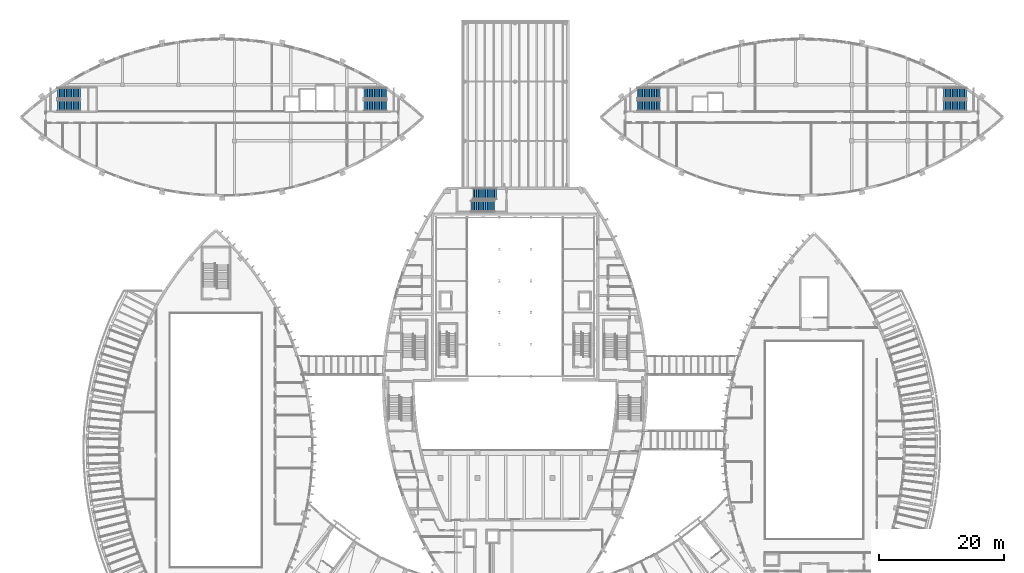
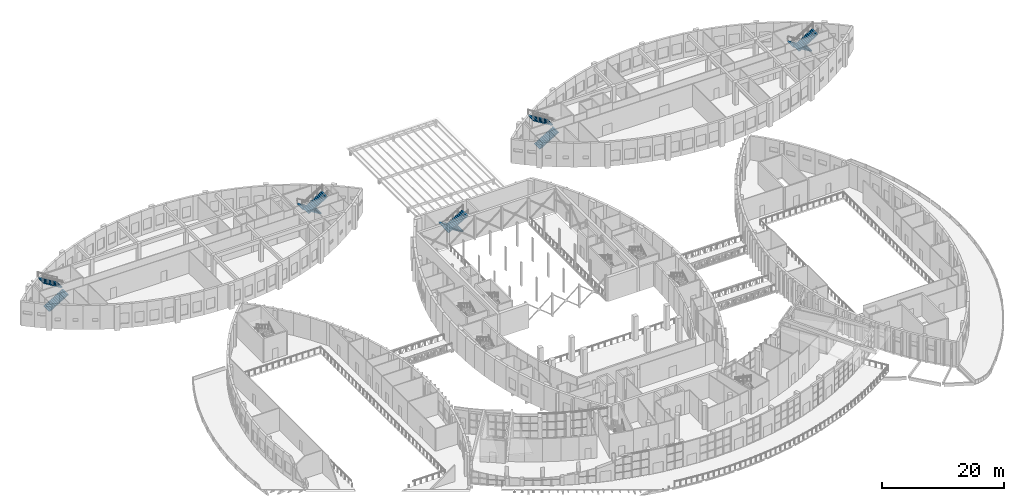
# One storey, part 82 of 93: 10 stair flights, 5 elements without a shape of their own.
"""IFC4 building model written with IfcOpenShell, lengths in metres."""

from ifc_helpers import new_model, si_unit, direction, frame, origin, place, context, subcontext, project, spatial, polyline, outline, extrude, material, type_object, element, aggregate, save


model = new_model("IFC4")

# Units and contexts
model_context = context("Model", 3, precision=1e-05, world=origin(), true_north=direction((0.0, 1.0)))
body_context = subcontext(model_context, "Body", "Model", "MODEL_VIEW")
ifc_project = project(units=[si_unit("LENGTHUNIT", "METRE"), si_unit("AREAUNIT", "SQUARE_METRE"), si_unit("VOLUMEUNIT", "CUBIC_METRE"), si_unit("PLANEANGLEUNIT", "RADIAN"), si_unit("MASSUNIT", "GRAM", prefix="KILO")], contexts=[model_context])

# Site, building, storey
site_placement = place(None, origin())
site = spatial("IfcSite", under=ifc_project, at=site_placement, CompositionType="ELEMENT")
building_placement = place(site_placement, origin())
building = spatial("IfcBuilding", under=site, at=building_placement, Name="Tide Square Theatres", CompositionType="ELEMENT")
storey_placement = place(building_placement, frame((0.0, 0.0, 5.39990234375)))
storey = spatial("IfcBuildingStorey", under=building, at=storey_placement, Name="L01", CompositionType="ELEMENT", Elevation=5.39990234375)

# Stair, stair flights
ifc_material_1 = material(Name="Concrete C35", Category="concrete")
stair_type_1 = type_object("IfcStairType", Name="Stair half turn 1300 wide", PredefinedType="HALF_TURN_STAIR", material=ifc_material_1)
stair_1_placement = place(storey_placement, origin())
stair_1 = element("IfcStair", 1, at=stair_1_placement, inside=storey, type_object=stair_type_1, Name="L01 Scenery Workshops stair 1", PredefinedType="HALF_TURN_STAIR")
ifc_material_2 = material(Name="Concrete C35", Category="concrete")
stair_flight_type_1 = type_object("IfcStairFlightType", Name="Flight 1300 wide 14 risers", PredefinedType="STRAIGHT", material=ifc_material_2)
stair_flight_1_placement = place(storey_placement, frame((10.60009765625, 99.699951171875, 0.0), z_axis=(0.0, 0.0, 1.0), x_axis=(1.0, 0.0, 0.0)))
stair_flight_1 = element("IfcStairFlight", 2, at=stair_flight_1_placement, type_object=stair_flight_type_1, Name="WST-1 flight 1", NumberOfRisers=14, NumberOfTreads=13, PredefinedType="STRAIGHT", RiserHeight=0.171428571, TreadLength=0.28, context=body_context, shape_type="SweptSolid", body=[
    extrude(outline(polyline([(0.0, 0.0), (0.0, 0.17138671875), (0.280029296875, 0.17138671875), (0.280029296875, 0.3427734375), (0.56005859375, 0.3427734375), (0.56005859375, 0.514404296875), (0.840087890625, 0.514404296875), (0.840087890625, 0.685791015625), (1.1201171875, 0.685791015625), (1.1201171875, 0.857177734375), (1.39990234375, 0.857177734375), (1.39990234375, 1.028564453125), (1.679931640625, 1.028564453125), (1.679931640625, 1.199951171875), (1.9599609375, 1.199951171875), (1.9599609375, 1.371337890625), (2.239990234375, 1.371337890625), (2.239990234375, 1.54296875), (2.52001953125, 1.54296875), (2.52001953125, 1.71435546875), (2.800048828125, 1.71435546875), (2.800048828125, 1.8857421875), (3.080078125, 1.8857421875), (3.080078125, 2.05712890625), (3.360107421875, 2.05712890625), (3.360107421875, 2.228515625), (3.639892578125, 2.228515625), (3.639892578125, 2.39990234375), (3.639892578125, 2.052734375), (0.287109375, 0.0), (0.0, 0.0)])), frame((0.0, 0.89990234375, 0.0), z_axis=(0.0, -1.0, 0.0), x_axis=(1.0, 0.0, 0.0)), (0.0, 0.0, 1.0), 1.800048828125),
])
stair_flight_2_placement = place(storey_placement, frame((14.239990234375, 101.64990234375, 2.400146484375), z_axis=(0.0, 0.0, 1.0), x_axis=(-1.0, 0.0, 0.0)))
stair_flight_2 = element("IfcStairFlight", 3, at=stair_flight_2_placement, type_object=stair_flight_type_1, Name="WST-1 flight 2", NumberOfRisers=14, NumberOfTreads=13, PredefinedType="STRAIGHT", RiserHeight=0.171428571, TreadLength=0.28, context=body_context, shape_type="SweptSolid", body=[
    extrude(outline(polyline([(0.0, 0.0), (0.0, 0.17138671875), (0.280029296875, 0.17138671875), (0.280029296875, 0.3427734375), (0.56005859375, 0.3427734375), (0.56005859375, 0.514404296875), (0.840087890625, 0.514404296875), (0.840087890625, 0.685791015625), (1.1201171875, 0.685791015625), (1.1201171875, 0.857177734375), (1.39990234375, 0.857177734375), (1.39990234375, 1.028564453125), (1.679931640625, 1.028564453125), (1.679931640625, 1.199951171875), (1.9599609375, 1.199951171875), (1.9599609375, 1.371337890625), (2.239990234375, 1.371337890625), (2.239990234375, 1.54296875), (2.52001953125, 1.54296875), (2.52001953125, 1.71435546875), (2.800048828125, 1.71435546875), (2.800048828125, 1.8857421875), (3.080078125, 1.8857421875), (3.080078125, 2.05712890625), (3.360107421875, 2.05712890625), (3.360107421875, 2.228515625), (3.639892578125, 2.228515625), (3.639892578125, 2.39990234375), (3.639892578125, 2.052734375), (0.287109375, 0.0), (0.0, 0.0)])), frame((0.0, 0.89990234375, 0.0), z_axis=(0.0, -1.0, 0.0), x_axis=(1.0, 0.0, 0.0)), (0.0, 0.0, 1.0), 1.800048828125),
])
aggregate(stair_1, [stair_flight_1, stair_flight_2])

stair_2_placement = place(storey_placement, origin())
stair_2 = element("IfcStair", 4, at=stair_2_placement, inside=storey, type_object=stair_type_1, Name="L01 Scenery Workshops stair 2", PredefinedType="HALF_TURN_STAIR")
stair_flight_3_placement = place(storey_placement, frame((63.39990234375, 101.64990234375, 0.0), z_axis=(0.0, 0.0, 1.0), x_axis=(-1.0, 0.0, 0.0)))
stair_flight_3 = element("IfcStairFlight", 5, at=stair_flight_3_placement, type_object=stair_flight_type_1, Name="WST-2 flight 1", NumberOfRisers=14, NumberOfTreads=13, PredefinedType="STRAIGHT", RiserHeight=0.171428571, TreadLength=0.28, context=body_context, shape_type="SweptSolid", body=[
    extrude(outline(polyline([(0.0, 0.0), (0.0, 0.17138671875), (0.280029296875, 0.17138671875), (0.280029296875, 0.3427734375), (0.56005859375, 0.3427734375), (0.56005859375, 0.514404296875), (0.840087890625, 0.514404296875), (0.840087890625, 0.685791015625), (1.1201171875, 0.685791015625), (1.1201171875, 0.857177734375), (1.39990234375, 0.857177734375), (1.39990234375, 1.028564453125), (1.679931640625, 1.028564453125), (1.679931640625, 1.199951171875), (1.9599609375, 1.199951171875), (1.9599609375, 1.371337890625), (2.239990234375, 1.371337890625), (2.239990234375, 1.54296875), (2.52001953125, 1.54296875), (2.52001953125, 1.71435546875), (2.800048828125, 1.71435546875), (2.800048828125, 1.8857421875), (3.080078125, 1.8857421875), (3.080078125, 2.05712890625), (3.360107421875, 2.05712890625), (3.360107421875, 2.228515625), (3.639892578125, 2.228515625), (3.639892578125, 2.39990234375), (3.639892578125, 2.052734375), (0.287109375, 0.0), (0.0, 0.0)])), frame((0.0, 0.89990234375, 0.0), z_axis=(0.0, -1.0, 0.0), x_axis=(1.0, 0.0, 0.0)), (0.0, 0.0, 1.0), 1.800048828125),
])
stair_flight_4_placement = place(storey_placement, frame((59.760009765625, 99.699951171875, 2.400146484375), z_axis=(0.0, 0.0, 1.0), x_axis=(1.0, 0.0, 0.0)))
stair_flight_4 = element("IfcStairFlight", 6, at=stair_flight_4_placement, type_object=stair_flight_type_1, Name="WST-2 flight 2", NumberOfRisers=14, NumberOfTreads=13, PredefinedType="STRAIGHT", RiserHeight=0.171428571, TreadLength=0.28, context=body_context, shape_type="SweptSolid", body=[
    extrude(outline(polyline([(0.0, 0.0), (0.0, 0.17138671875), (0.280029296875, 0.17138671875), (0.280029296875, 0.3427734375), (0.56005859375, 0.3427734375), (0.56005859375, 0.514404296875), (0.840087890625, 0.514404296875), (0.840087890625, 0.685791015625), (1.1201171875, 0.685791015625), (1.1201171875, 0.857177734375), (1.39990234375, 0.857177734375), (1.39990234375, 1.028564453125), (1.679931640625, 1.028564453125), (1.679931640625, 1.199951171875), (1.9599609375, 1.199951171875), (1.9599609375, 1.371337890625), (2.239990234375, 1.371337890625), (2.239990234375, 1.54296875), (2.52001953125, 1.54296875), (2.52001953125, 1.71435546875), (2.800048828125, 1.71435546875), (2.800048828125, 1.8857421875), (3.080078125, 1.8857421875), (3.080078125, 2.05712890625), (3.360107421875, 2.05712890625), (3.360107421875, 2.228515625), (3.639892578125, 2.228515625), (3.639892578125, 2.39990234375), (3.639892578125, 2.052734375), (0.287109375, 0.0), (0.0, 0.0)])), frame((0.0, 0.89990234375, 0.0), z_axis=(0.0, -1.0, 0.0), x_axis=(1.0, 0.0, 0.0)), (0.0, 0.0, 1.0), 1.800048828125),
])
aggregate(stair_2, [stair_flight_3, stair_flight_4])

stair_3_placement = place(storey_placement, origin())
stair_3 = element("IfcStair", 7, at=stair_3_placement, inside=storey, type_object=stair_type_1, Name="L01 Rehearsal Block stair 1", PredefinedType="HALF_TURN_STAIR")
stair_flight_5_placement = place(storey_placement, frame((103.60009765625, 99.699951171875, 0.0), z_axis=(0.0, 0.0, 1.0), x_axis=(1.0, 0.0, 0.0)))
stair_flight_5 = element("IfcStairFlight", 8, at=stair_flight_5_placement, type_object=stair_flight_type_1, Name="RST-1 flight 1", NumberOfRisers=14, NumberOfTreads=13, PredefinedType="STRAIGHT", RiserHeight=0.171428571, TreadLength=0.28, context=body_context, shape_type="SweptSolid", body=[
    extrude(outline(polyline([(0.0, 0.0), (0.0, 0.17138671875), (0.280029296875, 0.17138671875), (0.280029296875, 0.3427734375), (0.56005859375, 0.3427734375), (0.56005859375, 0.514404296875), (0.840087890625, 0.514404296875), (0.840087890625, 0.685791015625), (1.1201171875, 0.685791015625), (1.1201171875, 0.857177734375), (1.39990234375, 0.857177734375), (1.39990234375, 1.028564453125), (1.679931640625, 1.028564453125), (1.679931640625, 1.199951171875), (1.9599609375, 1.199951171875), (1.9599609375, 1.371337890625), (2.239990234375, 1.371337890625), (2.239990234375, 1.54296875), (2.52001953125, 1.54296875), (2.52001953125, 1.71435546875), (2.800048828125, 1.71435546875), (2.800048828125, 1.8857421875), (3.080078125, 1.8857421875), (3.080078125, 2.05712890625), (3.360107421875, 2.05712890625), (3.360107421875, 2.228515625), (3.639892578125, 2.228515625), (3.639892578125, 2.39990234375), (3.639892578125, 2.052734375), (0.287109375, 0.0), (0.0, 0.0)])), frame((0.0, 0.89990234375, 0.0), z_axis=(0.0, -1.0, 0.0), x_axis=(1.0, 0.0, 0.0)), (0.0, 0.0, 1.0), 1.800048828125),
])
stair_flight_6_placement = place(storey_placement, frame((107.239990234375, 101.64990234375, 2.400146484375), z_axis=(0.0, 0.0, 1.0), x_axis=(-1.0, 0.0, 0.0)))
stair_flight_6 = element("IfcStairFlight", 9, at=stair_flight_6_placement, type_object=stair_flight_type_1, Name="RST-1 flight 2", NumberOfRisers=14, NumberOfTreads=13, PredefinedType="STRAIGHT", RiserHeight=0.171428571, TreadLength=0.28, context=body_context, shape_type="SweptSolid", body=[
    extrude(outline(polyline([(0.0, 0.0), (0.0, 0.17138671875), (0.280029296875, 0.17138671875), (0.280029296875, 0.3427734375), (0.56005859375, 0.3427734375), (0.56005859375, 0.514404296875), (0.840087890625, 0.514404296875), (0.840087890625, 0.685791015625), (1.1201171875, 0.685791015625), (1.1201171875, 0.857177734375), (1.39990234375, 0.857177734375), (1.39990234375, 1.028564453125), (1.679931640625, 1.028564453125), (1.679931640625, 1.199951171875), (1.9599609375, 1.199951171875), (1.9599609375, 1.371337890625), (2.239990234375, 1.371337890625), (2.239990234375, 1.54296875), (2.52001953125, 1.54296875), (2.52001953125, 1.71435546875), (2.800048828125, 1.71435546875), (2.800048828125, 1.8857421875), (3.080078125, 1.8857421875), (3.080078125, 2.05712890625), (3.360107421875, 2.05712890625), (3.360107421875, 2.228515625), (3.639892578125, 2.228515625), (3.639892578125, 2.39990234375), (3.639892578125, 2.052734375), (0.287109375, 0.0), (0.0, 0.0)])), frame((0.0, 0.89990234375, 0.0), z_axis=(0.0, -1.0, 0.0), x_axis=(1.0, 0.0, 0.0)), (0.0, 0.0, 1.0), 1.800048828125),
])
aggregate(stair_3, [stair_flight_5, stair_flight_6])

stair_4_placement = place(storey_placement, origin())
stair_4 = element("IfcStair", 10, at=stair_4_placement, inside=storey, type_object=stair_type_1, Name="L01 Rehearsal Block stair 2", PredefinedType="HALF_TURN_STAIR")
stair_flight_7_placement = place(storey_placement, frame((156.39990234375, 101.64990234375, 0.0), z_axis=(0.0, 0.0, 1.0), x_axis=(-1.0, 0.0, 0.0)))
stair_flight_7 = element("IfcStairFlight", 11, at=stair_flight_7_placement, type_object=stair_flight_type_1, Name="RST-2 flight 1", NumberOfRisers=14, NumberOfTreads=13, PredefinedType="STRAIGHT", RiserHeight=0.171428571, TreadLength=0.28, context=body_context, shape_type="SweptSolid", body=[
    extrude(outline(polyline([(0.0, 0.0), (0.0, 0.17138671875), (0.280029296875, 0.17138671875), (0.280029296875, 0.3427734375), (0.56005859375, 0.3427734375), (0.56005859375, 0.514404296875), (0.840087890625, 0.514404296875), (0.840087890625, 0.685791015625), (1.1201171875, 0.685791015625), (1.1201171875, 0.857177734375), (1.39990234375, 0.857177734375), (1.39990234375, 1.028564453125), (1.679931640625, 1.028564453125), (1.679931640625, 1.199951171875), (1.9599609375, 1.199951171875), (1.9599609375, 1.371337890625), (2.239990234375, 1.371337890625), (2.239990234375, 1.54296875), (2.52001953125, 1.54296875), (2.52001953125, 1.71435546875), (2.800048828125, 1.71435546875), (2.800048828125, 1.8857421875), (3.080078125, 1.8857421875), (3.080078125, 2.05712890625), (3.360107421875, 2.05712890625), (3.360107421875, 2.228515625), (3.639892578125, 2.228515625), (3.639892578125, 2.39990234375), (3.639892578125, 2.052734375), (0.287109375, 0.0), (0.0, 0.0)])), frame((0.0, 0.89990234375, 0.0), z_axis=(0.0, -1.0, 0.0), x_axis=(1.0, 0.0, 0.0)), (0.0, 0.0, 1.0), 1.800048828125),
])
stair_flight_8_placement = place(storey_placement, frame((152.760009765625, 99.699951171875, 2.400146484375), z_axis=(0.0, 0.0, 1.0), x_axis=(1.0, 0.0, 0.0)))
stair_flight_8 = element("IfcStairFlight", 12, at=stair_flight_8_placement, type_object=stair_flight_type_1, Name="RST-2 flight 2", NumberOfRisers=14, NumberOfTreads=13, PredefinedType="STRAIGHT", RiserHeight=0.171428571, TreadLength=0.28, context=body_context, shape_type="SweptSolid", body=[
    extrude(outline(polyline([(0.0, 0.0), (0.0, 0.17138671875), (0.280029296875, 0.17138671875), (0.280029296875, 0.3427734375), (0.56005859375, 0.3427734375), (0.56005859375, 0.514404296875), (0.840087890625, 0.514404296875), (0.840087890625, 0.685791015625), (1.1201171875, 0.685791015625), (1.1201171875, 0.857177734375), (1.39990234375, 0.857177734375), (1.39990234375, 1.028564453125), (1.679931640625, 1.028564453125), (1.679931640625, 1.199951171875), (1.9599609375, 1.199951171875), (1.9599609375, 1.371337890625), (2.239990234375, 1.371337890625), (2.239990234375, 1.54296875), (2.52001953125, 1.54296875), (2.52001953125, 1.71435546875), (2.800048828125, 1.71435546875), (2.800048828125, 1.8857421875), (3.080078125, 1.8857421875), (3.080078125, 2.05712890625), (3.360107421875, 2.05712890625), (3.360107421875, 2.228515625), (3.639892578125, 2.228515625), (3.639892578125, 2.39990234375), (3.639892578125, 2.052734375), (0.287109375, 0.0), (0.0, 0.0)])), frame((0.0, 0.89990234375, 0.0), z_axis=(0.0, -1.0, 0.0), x_axis=(1.0, 0.0, 0.0)), (0.0, 0.0, 1.0), 1.800048828125),
])
aggregate(stair_4, [stair_flight_7, stair_flight_8])

ifc_material_3 = material(Name="Concrete C35", Category="concrete")
stair_type_2 = type_object("IfcStairType", Name="Stair half turn 1800 wide, 28 risers, rise 4800", PredefinedType="HALF_TURN_STAIR", material=ifc_material_3)
stair_5_placement = place(storey_placement, origin())
stair_5 = element("IfcStair", 13, at=stair_5_placement, inside=storey, type_object=stair_type_2, Name="Main Theatre North Stair", PredefinedType="HALF_TURN_STAIR")
ifc_material_4 = material(Name="Concrete C35", Category="concrete")
stair_flight_type_2 = type_object("IfcStairFlightType", Name="Flight 1800 wide 14 risers rise 4800", PredefinedType="STRAIGHT", material=ifc_material_4)
stair_flight_9_placement = place(storey_placement, frame((81.0, 85.5, 0.0), z_axis=(0.0, 0.0, 1.0), x_axis=(-1.0, 0.0, 0.0)))
stair_flight_9 = element("IfcStairFlight", 14, at=stair_flight_9_placement, type_object=stair_flight_type_2, Name="ST-1800-4800 flight 1", NumberOfRisers=14, NumberOfTreads=13, PredefinedType="STRAIGHT", RiserHeight=0.171428571, TreadLength=0.29, context=body_context, shape_type="SweptSolid", body=[
    extrude(outline(polyline([(0.0, 0.0), (0.0, 0.17138671875), (0.2900390625, 0.17138671875), (0.2900390625, 0.3427734375), (0.580078125, 0.3427734375), (0.580078125, 0.514404296875), (0.8701171875, 0.514404296875), (0.8701171875, 0.685791015625), (1.159912109375, 0.685791015625), (1.159912109375, 0.857177734375), (1.449951171875, 0.857177734375), (1.449951171875, 1.028564453125), (1.739990234375, 1.028564453125), (1.739990234375, 1.199951171875), (2.030029296875, 1.199951171875), (2.030029296875, 1.371337890625), (2.320068359375, 1.371337890625), (2.320068359375, 1.54296875), (2.610107421875, 1.54296875), (2.610107421875, 1.71435546875), (2.89990234375, 1.71435546875), (2.89990234375, 1.8857421875), (3.18994140625, 1.8857421875), (3.18994140625, 2.05712890625), (3.47998046875, 2.05712890625), (3.47998046875, 2.228515625), (3.77001953125, 2.228515625), (3.77001953125, 2.39990234375), (3.77001953125, 2.054443359375), (0.294677734375, 0.0), (0.0, 0.0)])), frame((0.0, 0.89990234375, 0.0), z_axis=(0.0, -1.0, 0.0), x_axis=(1.0, 0.0, 0.0)), (0.0, 0.0, 1.0), 1.800048828125),
])
stair_flight_10_placement = place(storey_placement, frame((76.935302734375, 83.5, 2.400146484375), z_axis=(0.0, 0.0, 1.0), x_axis=(1.0, 0.0, 0.0)))
stair_flight_10 = element("IfcStairFlight", 15, at=stair_flight_10_placement, type_object=stair_flight_type_2, Name="ST-1800-4800 flight 2", NumberOfRisers=14, NumberOfTreads=13, PredefinedType="STRAIGHT", RiserHeight=0.171428571, TreadLength=0.29, context=body_context, shape_type="SweptSolid", body=[
    extrude(outline(polyline([(0.0, 0.0), (0.0, 0.17138671875), (0.2900390625, 0.17138671875), (0.2900390625, 0.3427734375), (0.580078125, 0.3427734375), (0.580078125, 0.514404296875), (0.8701171875, 0.514404296875), (0.8701171875, 0.685791015625), (1.159912109375, 0.685791015625), (1.159912109375, 0.857177734375), (1.449951171875, 0.857177734375), (1.449951171875, 1.028564453125), (1.739990234375, 1.028564453125), (1.739990234375, 1.199951171875), (2.030029296875, 1.199951171875), (2.030029296875, 1.371337890625), (2.320068359375, 1.371337890625), (2.320068359375, 1.54296875), (2.610107421875, 1.54296875), (2.610107421875, 1.71435546875), (2.89990234375, 1.71435546875), (2.89990234375, 1.8857421875), (3.18994140625, 1.8857421875), (3.18994140625, 2.05712890625), (3.47998046875, 2.05712890625), (3.47998046875, 2.228515625), (3.77001953125, 2.228515625), (3.77001953125, 2.39990234375), (3.77001953125, 2.054443359375), (0.294677734375, 0.0), (0.0, 0.0)])), frame((0.0, 0.89990234375, 0.0), z_axis=(0.0, -1.0, 0.0), x_axis=(1.0, 0.0, 0.0)), (0.0, 0.0, 1.0), 1.800048828125),
])
aggregate(stair_5, [stair_flight_9, stair_flight_10])

save(model, "model.ifc")
